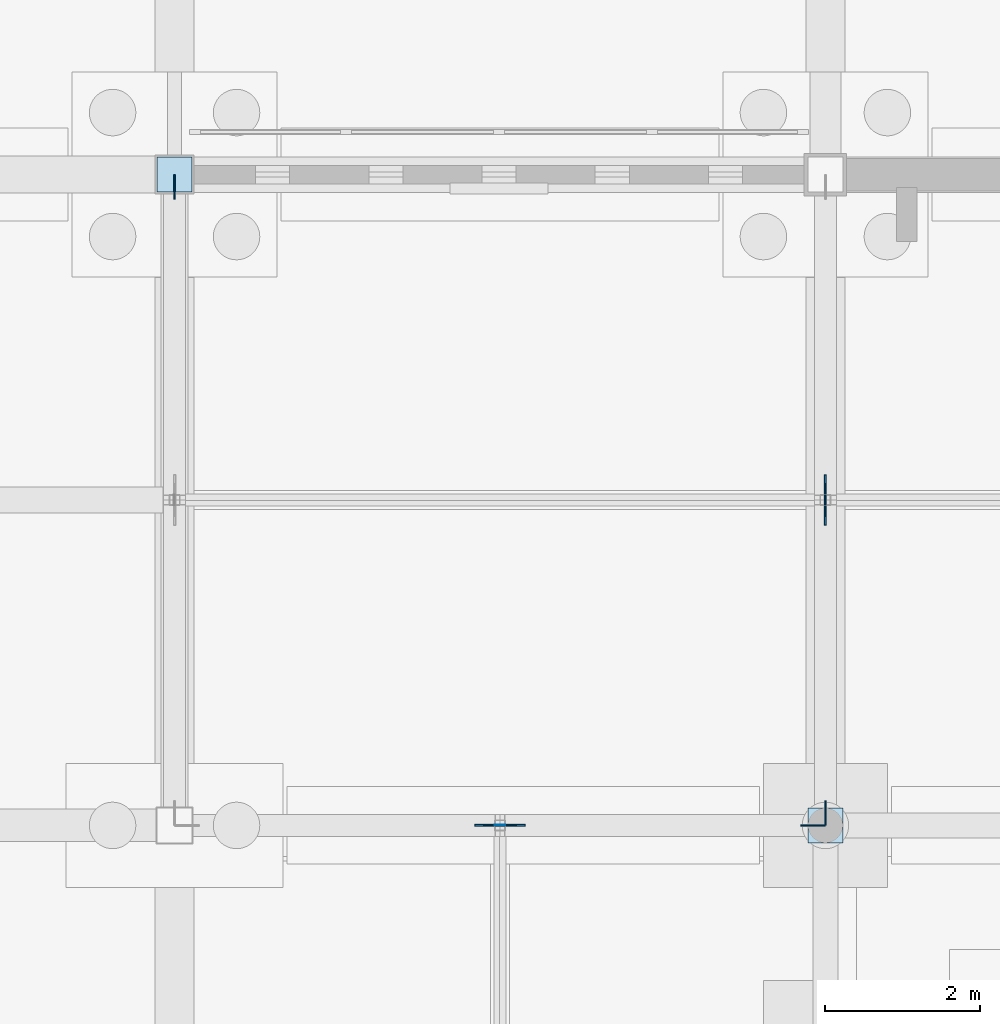
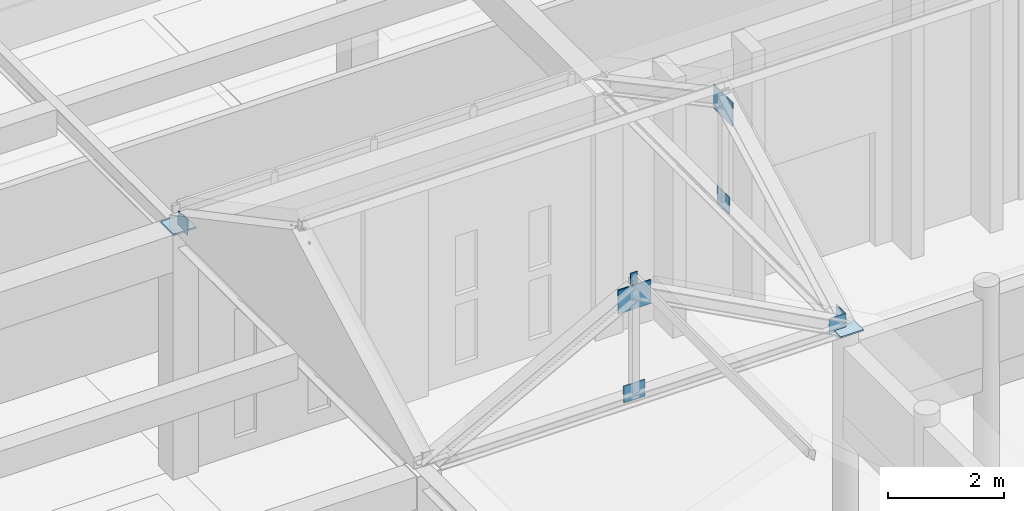
# One storey, part 102 of 143: 10 plates.
"""IFC4 building model written with IfcOpenShell, lengths in metres."""

from ifc_helpers import new_model, si_unit, direction, frame, origin, origin_2d, place, context, subcontext, project, spatial, rectangle, extrude, material, layer, layer_set, type_object, element, save


model = new_model("IFC4")

# Units and contexts
model_context = context("Model", 3, precision=1e-05, world=origin(), true_north=direction((0.0, 1.0)))
body_context = subcontext(model_context, "Body", "Model", "MODEL_VIEW")
ifc_project = project(units=[si_unit("LENGTHUNIT", "METRE"), si_unit("AREAUNIT", "SQUARE_METRE"), si_unit("VOLUMEUNIT", "CUBIC_METRE"), si_unit("PLANEANGLEUNIT", "RADIAN"), si_unit("MASSUNIT", "GRAM", prefix="KILO")], contexts=[model_context])

# Site, building, storey
site_placement = place(None, origin())
site = spatial("IfcSite", under=ifc_project, at=site_placement, CompositionType="ELEMENT")
building_placement = place(site_placement, origin())
building = spatial("IfcBuilding", under=site, at=building_placement, Name="Kveldsbrygga Polytechnic", CompositionType="ELEMENT")
storey_placement = place(building_placement, origin())
storey = spatial("IfcBuildingStorey", under=building, at=storey_placement, Name="L00", CompositionType="ELEMENT", Elevation=0.0)

# Plates
ifc_material = material(Name="Steel S355", Category="steel")
ifc_layer_1 = layer(ifc_material, 0.030029296875)
ifc_layer_set_1 = layer_set([ifc_layer_1], Name="Steel S355")
plate_type_1 = type_object("IfcPlateType", Name="CAP-BEAR-450", PredefinedType="SHEET", material=ifc_layer_set_1)
for number, where, z_axis, x_axis, name in (
    (1, (75.60009765625, 84.0, 5.10986328125), (0.0, 0.0, 1.0), (1.0, 0.0, 0.0), "Truss Bearing Plate ARC-EN-T01-B"),
    (2, (84.0, 75.60009765625, 5.10986328125), (0.0, 0.0, 1.0), (1.0, 0.0, 0.0), "Truss Bearing Plate ARC-EN-T02-A"),
):
    element("IfcPlate", number, at=place(storey_placement, frame(where, z_axis=z_axis, x_axis=x_axis)), inside=storey, type_object=plate_type_1, Name=name, PredefinedType="SHEET", context=body_context, shape_type="SweptSolid", body=[
        extrude(rectangle(XDim=0.449951171875, YDim=0.449951171875, at=origin_2d()), origin(), (0.0, 0.0, 1.0), 0.030029296875),
    ])
ifc_layer_2 = layer(ifc_material, 0.011962890625)
ifc_layer_set_2 = layer_set([ifc_layer_2], Name="Steel S355")
plate_type_2 = type_object("IfcPlateType", Name="CAP-PRL-200", PredefinedType="SHEET", material=ifc_layer_set_2)
plate_1_placement = place(storey_placement, frame((79.800048828125, 75.60595703125, 7.513671875), z_axis=(0.0, 0.0, 1.0), x_axis=(1.0, 0.0, 0.0)))
element("IfcPlate", 3, at=plate_1_placement, inside=storey, type_object=plate_type_2, Name="Purlin End Cap Plate ARC-EW-EP-B-1", PredefinedType="SHEET", context=body_context, shape_type="SweptSolid", body=[
    extrude(rectangle(XDim=0.139892578125, YDim=0.011962890625, at=origin_2d()), origin(), (0.0, 0.0, 1.0), 0.239990234375),
])
ifc_layer_3 = layer(ifc_material, 0.02490234375)
ifc_layer_set_3 = layer_set([ifc_layer_3], Name="Steel S355")
plate_type_3 = type_object("IfcPlateType", Name="GUS-APEX-650", PredefinedType="SHEET", material=ifc_layer_set_3)
plate_2_placement = place(storey_placement, frame((84.0, 79.800048828125, 6.989990234375), z_axis=(0.0, 0.0, 1.0), x_axis=(1.0, 0.0, 0.0)))
element("IfcPlate", 4, at=plate_2_placement, inside=storey, type_object=plate_type_3, Name="Truss Gusset Plate ARC-EN-T02-GP-1", PredefinedType="SHEET", context=body_context, shape_type="SweptSolid", body=[
    extrude(rectangle(XDim=0.02490234375, YDim=0.64990234375, at=origin_2d()), origin(), (0.0, 0.0, 1.0), 0.5),
])
plate_3_placement = place(storey_placement, frame((79.800048828125, 75.60009765625, 6.989990234375), z_axis=(0.0, 0.0, 1.0), x_axis=(1.0, 0.0, 0.0)))
element("IfcPlate", 5, at=plate_3_placement, inside=storey, type_object=plate_type_3, Name="Truss Gusset Plate ARC-EW-T06-GP-1", PredefinedType="SHEET", context=body_context, shape_type="SweptSolid", body=[
    extrude(rectangle(XDim=0.64990234375, YDim=0.02490234375, at=origin_2d()), origin(), (0.0, 0.0, 1.0), 0.5),
])
ifc_layer_4 = layer(ifc_material, 0.01806640625)
ifc_layer_set_4 = layer_set([ifc_layer_4], Name="Steel S355")
plate_type_4 = type_object("IfcPlateType", Name="GUS-BRACE-320", PredefinedType="SHEET", material=ifc_layer_set_4)
for number, where, z_axis, x_axis, name in (
    (6, (75.60009765625, 83.840087890625, 5.10009765625), (0.0, 0.0, 1.0), (1.0, 0.0, 0.0), "Truss Eaves Node Gusset ARC-EN-T01-EGP-B"),
    (7, (84.0, 75.760009765625, 5.10009765625), (0.0, 0.0, 1.0), (1.0, 0.0, 0.0), "Truss Eaves Node Gusset ARC-EN-T02-EGP-A"),
):
    element("IfcPlate", number, at=place(storey_placement, frame(where, z_axis=z_axis, x_axis=x_axis)), inside=storey, type_object=plate_type_4, Name=name, PredefinedType="SHEET", context=body_context, shape_type="SweptSolid", body=[
        extrude(rectangle(XDim=0.01806640625, YDim=0.320068359375, at=origin_2d()), origin(), (0.0, 0.0, 1.0), 0.320068359375),
    ])
plate_4_placement = place(storey_placement, frame((83.840087890625, 75.60009765625, 5.10009765625), z_axis=(0.0, 0.0, 1.0), x_axis=(1.0, 0.0, 0.0)))
element("IfcPlate", 8, at=plate_4_placement, inside=storey, type_object=plate_type_4, Name="Truss Eaves Node Gusset ARC-EW-T06-EGP-B", PredefinedType="SHEET", context=body_context, shape_type="SweptSolid", body=[
    extrude(rectangle(XDim=0.320068359375, YDim=0.01806640625, at=origin_2d()), origin(), (0.0, 0.0, 1.0), 0.320068359375),
])
ifc_layer_5 = layer(ifc_material, 0.02001953125)
ifc_layer_set_5 = layer_set([ifc_layer_5], Name="Steel S355")
plate_type_5 = type_object("IfcPlateType", Name="GUS-LECT-420", PredefinedType="SHEET", material=ifc_layer_set_5)
plate_5_placement = place(storey_placement, frame((84.0, 79.800048828125, 5.0849609375), z_axis=(0.0, 0.0, 1.0), x_axis=(1.0, 0.0, 0.0)))
element("IfcPlate", 9, at=plate_5_placement, inside=storey, type_object=plate_type_5, Name="Truss Bottom-Chord Node Gusset ARC-EN-T02-BGP-1", PredefinedType="SHEET", context=body_context, shape_type="SweptSolid", body=[
    extrude(rectangle(XDim=0.02001953125, YDim=0.419921875, at=origin_2d()), origin(), (0.0, 0.0, 1.0), 0.35009765625),
])
plate_6_placement = place(storey_placement, frame((79.800048828125, 75.60009765625, 5.0849609375), z_axis=(0.0, 0.0, 1.0), x_axis=(1.0, 0.0, 0.0)))
element("IfcPlate", 10, at=plate_6_placement, inside=storey, type_object=plate_type_5, Name="Truss Bottom-Chord Node Gusset ARC-EW-T06-BGP-1", PredefinedType="SHEET", context=body_context, shape_type="SweptSolid", body=[
    extrude(rectangle(XDim=0.419921875, YDim=0.02001953125, at=origin_2d()), origin(), (0.0, 0.0, 1.0), 0.35009765625),
])

save(model, "model.ifc")
